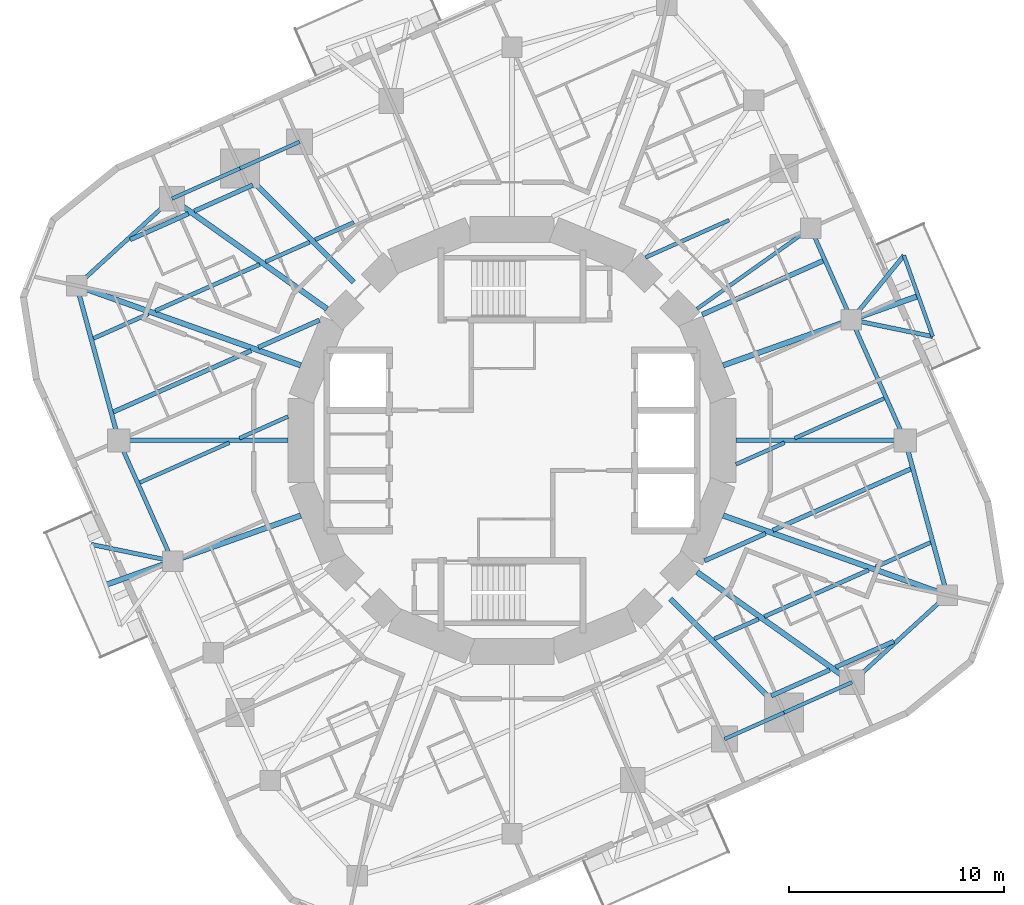
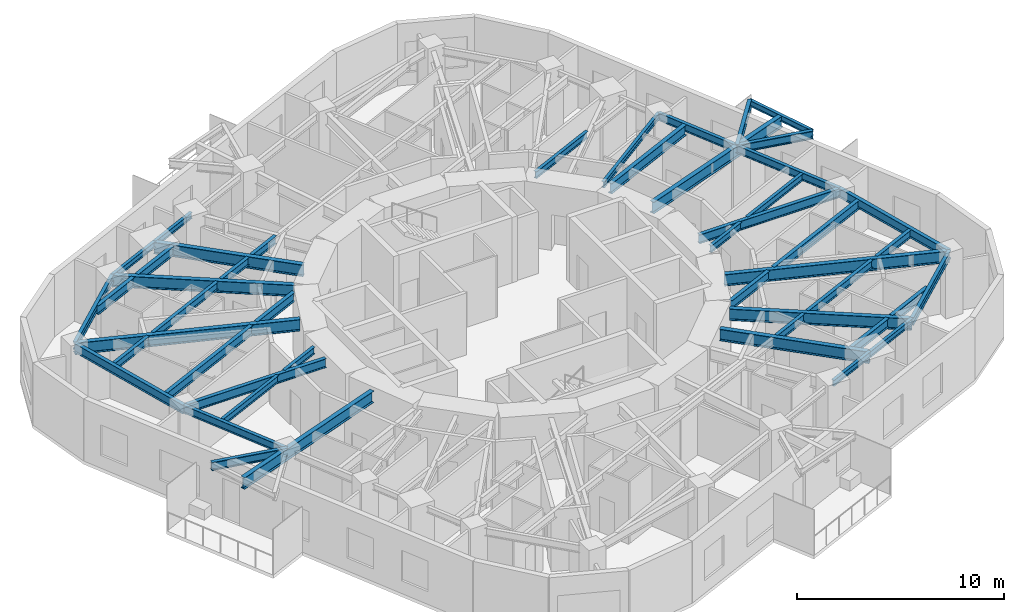
# One storey, part 2 of 12: 47 beams.
"""IFC4 building model written with IfcOpenShell, lengths in metres."""

from ifc_helpers import new_model, si_unit, direction, frame, origin, origin_2d, place, context, subcontext, project, spatial, i_section, extrude, material, material_profile, profile_set, type_object, element, save


model = new_model("IFC4")

# Units and contexts
model_context = context("Model", 3, precision=1e-05, world=origin(), true_north=direction((0.0, 1.0)))
body_context = subcontext(model_context, "Body", "Model", "MODEL_VIEW")
ifc_project = project(units=[si_unit("LENGTHUNIT", "METRE"), si_unit("AREAUNIT", "SQUARE_METRE"), si_unit("VOLUMEUNIT", "CUBIC_METRE"), si_unit("PLANEANGLEUNIT", "RADIAN"), si_unit("MASSUNIT", "GRAM", prefix="KILO")], contexts=[model_context])

# Site, building, storey
site_placement = place(None, origin())
site = spatial("IfcSite", under=ifc_project, at=site_placement, CompositionType="ELEMENT")
building_placement = place(site_placement, origin())
building = spatial("IfcBuilding", under=site, at=building_placement, Name="Nakasero Lantern House", CompositionType="ELEMENT")
storey_placement = place(building_placement, frame((0.0, 0.0, 186.300048828125)))
storey = spatial("IfcBuildingStorey", under=building, at=storey_placement, Name="L45", CompositionType="ELEMENT", Elevation=186.300048828125)

# Beams
ifc_material_1 = material(Name="Steel S355", Category="steel")
ifc_material_profile_1 = material_profile(ifc_material_1, i_section(OverallWidth=0.199462890625, OverallDepth=0.491943359375, WebThickness=0.01806640625, FlangeThickness=0.031982421875, FilletRadius=0.01025390625, at=origin_2d()), Name="UB 457x191x161")
ifc_profile_set_1 = profile_set([ifc_material_profile_1], Name="Steel S355")
beam_type_1 = type_object("IfcBeamType", Name="Balcony splay beam UB 457x191x161", PredefinedType="BEAM", material=ifc_profile_set_1)
beam_1_placement = place(storey_placement, frame((15.781982421875, 5.611328125, 3.404052734375), z_axis=(0.632165712937, 0.774833215206, 0.0), x_axis=(-0.774833215206, 0.632165712937, 0.0)))
element("IfcBeam", 1, at=beam_1_placement, inside=storey, type_object=beam_type_1, Name="Balcony splay beam L46 B5-C04A", PredefinedType="BEAM", context=body_context, shape_type="SweptSolid", body=[
    extrude(i_section(OverallWidth=0.199462890625, OverallDepth=0.491943359375, WebThickness=0.01806640625, FlangeThickness=0.031982421875, FilletRadius=0.01025390625, at=origin_2d()), origin(), (0.0, 0.0, 1.0), 3.85888671875),
])
for number, where, z_axis, x_axis, name in (
    (2, (15.781982421875, 5.611328125, 3.404052734375), (0.979420272605, -0.201831438605, 0.0), (0.201831438605, 0.979420272605, 0.0), "Balcony splay beam L46 B5-C04B"),
    (3, (-15.781982421875, -5.611328125, 3.404052734375), (-0.979420272605, 0.201831438605, 0.0), (-0.201831438605, -0.979420272605, 0.0), "Balcony splay beam L46 B5-C16B"),
):
    element("IfcBeam", number, at=place(storey_placement, frame(where, z_axis=z_axis, x_axis=x_axis)), inside=storey, type_object=beam_type_1, Name=name, PredefinedType="BEAM", context=body_context, shape_type="SweptSolid", body=[
        extrude(i_section(OverallWidth=0.199462890625, OverallDepth=0.491943359375, WebThickness=0.01806640625, FlangeThickness=0.031982421875, FilletRadius=0.01025390625, at=origin_2d()), origin(), (0.0, 0.0, 1.0), 3.858642578125),
    ])
ifc_material_2 = material(Name="Steel S355", Category="steel")
ifc_material_profile_2 = material_profile(ifc_material_2, i_section(OverallWidth=0.17138671875, OverallDepth=0.35498046875, WebThickness=0.00732421875, FlangeThickness=0.011474609375, FilletRadius=0.01025390625, at=origin_2d()), Name="UB 356x171x51")
ifc_profile_set_2 = profile_set([ifc_material_profile_2], Name="Steel S355")
beam_type_2 = type_object("IfcBeamType", Name="Balcony tie beam UB 356x171x51", PredefinedType="BEAM", material=ifc_profile_set_2)
beam_2_placement = place(storey_placement, frame((18.221435546875, 8.601318359375, 3.472412109375), z_axis=(0.334971134582, -0.94222839004, 0.0), x_axis=(0.94222839004, 0.334971134582, 0.0)))
element("IfcBeam", 4, at=beam_2_placement, inside=storey, type_object=beam_type_2, Name="Balcony tie beam L46 B5-C04", PredefinedType="BEAM", context=body_context, shape_type="SweptSolid", body=[
    extrude(i_section(OverallWidth=0.17138671875, OverallDepth=0.35498046875, WebThickness=0.00732421875, FlangeThickness=0.011474609375, FilletRadius=0.01025390625, at=origin_2d()), origin(), (0.0, 0.0, 1.0), 4.0),
])
ifc_material_3 = material(Name="Steel S355", Category="steel")
ifc_material_profile_3 = material_profile(ifc_material_3, i_section(OverallWidth=0.177978515625, OverallDepth=0.406494140625, WebThickness=0.0078125, FlangeThickness=0.0126953125, FilletRadius=0.01025390625, at=origin_2d()), Name="UB 406x178x60")
ifc_profile_set_3 = profile_set([ifc_material_profile_3], Name="Steel S355")
beam_type_3 = type_object("IfcBeamType", Name="Infill beam UB 406x178x60", PredefinedType="JOIST", material=ifc_profile_set_3)
beam_3_placement = place(storey_placement, frame((10.407958984375, -1.113037109375, 3.44677734375), z_axis=(0.913531019811, 0.406769069427, 0.0), x_axis=(-0.406769069427, 0.913531019811, 0.0)))
element("IfcBeam", 5, at=beam_3_placement, inside=storey, type_object=beam_type_3, Name="Infill beam L46 06.3", PredefinedType="JOIST", context=body_context, shape_type="SweptSolid", body=[
    extrude(i_section(OverallWidth=0.177978515625, OverallDepth=0.406494140625, WebThickness=0.0078125, FlangeThickness=0.0126953125, FilletRadius=0.01025390625, at=origin_2d()), origin(), (0.0, 0.0, 1.0), 2.478271484375),
])
for number, where, z_axis, x_axis, name in (
    (6, (13.1435546875, 0.10498046875, 3.44677734375), (0.913537236337, 0.406755107929, 0.0), (-0.406755107929, 0.913537236337, 0.0), "Infill beam L46 06.4"),
    (7, (-17.30419921875, -1.95751953125, 3.44677734375), (0.913537236337, 0.406755107929, 0.0), (-0.406755107929, 0.913537236337, 0.0), "Infill beam L46 09.1"),
):
    element("IfcBeam", number, at=place(storey_placement, frame(where, z_axis=z_axis, x_axis=x_axis)), inside=storey, type_object=beam_type_3, Name=name, PredefinedType="JOIST", context=body_context, shape_type="SweptSolid", body=[
        extrude(i_section(OverallWidth=0.177978515625, OverallDepth=0.406494140625, WebThickness=0.0078125, FlangeThickness=0.0126953125, FilletRadius=0.01025390625, at=origin_2d()), origin(), (0.0, 0.0, 1.0), 4.554443359375),
    ])
beam_4_placement = place(storey_placement, frame((-12.671875, 0.10498046875, 3.44677734375), z_axis=(0.913531019811, 0.406769069427, 0.0), x_axis=(-0.406769069427, 0.913531019811, 0.0)))
element("IfcBeam", 8, at=beam_4_placement, inside=storey, type_object=beam_type_3, Name="Infill beam L46 09.2", PredefinedType="JOIST", context=body_context, shape_type="SweptSolid", body=[
    extrude(i_section(OverallWidth=0.177978515625, OverallDepth=0.406494140625, WebThickness=0.0078125, FlangeThickness=0.0126953125, FilletRadius=0.01025390625, at=origin_2d()), origin(), (0.0, 0.0, 1.0), 2.478271484375),
])
beam_5_placement = place(storey_placement, frame((6.2080078125, 8.5107421875, 3.44677734375), z_axis=(0.91354134882, 0.406745871517, 0.0), x_axis=(-0.406745871517, 0.91354134882, 0.0)))
element("IfcBeam", 9, at=beam_5_placement, inside=storey, type_object=beam_type_3, Name="Infill beam L46 09.3", PredefinedType="JOIST", context=body_context, shape_type="SweptSolid", body=[
    extrude(i_section(OverallWidth=0.177978515625, OverallDepth=0.406494140625, WebThickness=0.0078125, FlangeThickness=0.0126953125, FilletRadius=0.01025390625, at=origin_2d()), origin(), (0.0, 0.0, 1.0), 4.250732421875),
])
ifc_material_4 = material(Name="Steel S355", Category="steel")
ifc_material_profile_4 = material_profile(ifc_material_4, i_section(OverallWidth=0.18994140625, OverallDepth=0.453369140625, WebThickness=0.008544921875, FlangeThickness=0.0126953125, FilletRadius=0.01025390625, at=origin_2d()), Name="UB 457x191x67")
ifc_profile_set_4 = profile_set([ifc_material_profile_4], Name="Steel S355")
beam_type_4 = type_object("IfcBeamType", Name="Infill beam UB 457x191x67", PredefinedType="JOIST", material=ifc_profile_set_4)
beam_6_placement = place(storey_placement, frame((9.403564453125, -9.22265625, 3.42333984375), z_axis=(0.913516376313, 0.406801954529, 0.0), x_axis=(-0.406801954529, 0.913516376313, 0.0)))
element("IfcBeam", 10, at=beam_6_placement, inside=storey, type_object=beam_type_4, Name="Infill beam L46 04.6", PredefinedType="JOIST", context=body_context, shape_type="SweptSolid", body=[
    extrude(i_section(OverallWidth=0.18994140625, OverallDepth=0.453369140625, WebThickness=0.008544921875, FlangeThickness=0.0126953125, FilletRadius=0.01025390625, at=origin_2d()), origin(), (0.0, 0.0, 1.0), 2.2529296875),
])
beam_7_placement = place(storey_placement, frame((11.73095703125, -8.186279296875, 3.42333984375), z_axis=(0.913558956665, 0.406706322421, 0.0), x_axis=(-0.406706322421, 0.913558956665, 0.0)))
element("IfcBeam", 11, at=beam_7_placement, inside=storey, type_object=beam_type_4, Name="Infill beam L46 04.7", PredefinedType="JOIST", context=body_context, shape_type="SweptSolid", body=[
    extrude(i_section(OverallWidth=0.18994140625, OverallDepth=0.453369140625, WebThickness=0.008544921875, FlangeThickness=0.0126953125, FilletRadius=0.01025390625, at=origin_2d()), origin(), (0.0, 0.0, 1.0), 5.3046875),
])
beam_8_placement = place(storey_placement, frame((16.913330078125, -5.87890625, 3.42333984375), z_axis=(0.913544199752, 0.406739468332, 0.0), x_axis=(-0.406739468332, 0.913544199752, 0.0)))
element("IfcBeam", 12, at=beam_8_placement, inside=storey, type_object=beam_type_4, Name="Infill beam L46 04.8", PredefinedType="JOIST", context=body_context, shape_type="SweptSolid", body=[
    extrude(i_section(OverallWidth=0.18994140625, OverallDepth=0.453369140625, WebThickness=0.008544921875, FlangeThickness=0.0126953125, FilletRadius=0.01025390625, at=origin_2d()), origin(), (0.0, 0.0, 1.0), 2.788818359375),
])
beam_9_placement = place(storey_placement, frame((-19.46142578125, 4.744384765625, 3.42333984375), z_axis=(0.913540637242, 0.4067474697, 0.0), x_axis=(-0.4067474697, 0.913540637242, 0.0)))
element("IfcBeam", 13, at=beam_9_placement, inside=storey, type_object=beam_type_4, Name="Infill beam L46 11.1", PredefinedType="JOIST", context=body_context, shape_type="SweptSolid", body=[
    extrude(i_section(OverallWidth=0.18994140625, OverallDepth=0.453369140625, WebThickness=0.008544921875, FlangeThickness=0.0126953125, FilletRadius=0.01025390625, at=origin_2d()), origin(), (0.0, 0.0, 1.0), 2.789306640625),
])
beam_10_placement = place(storey_placement, frame((-16.5771484375, 6.02880859375, 3.42333984375), z_axis=(0.913558956665, 0.406706322421, 0.0), x_axis=(-0.406706322421, 0.913558956665, 0.0)))
element("IfcBeam", 14, at=beam_10_placement, inside=storey, type_object=beam_type_4, Name="Infill beam L46 11.2", PredefinedType="JOIST", context=body_context, shape_type="SweptSolid", body=[
    extrude(i_section(OverallWidth=0.18994140625, OverallDepth=0.453369140625, WebThickness=0.008544921875, FlangeThickness=0.0126953125, FilletRadius=0.01025390625, at=origin_2d()), origin(), (0.0, 0.0, 1.0), 5.3046875),
])
beam_11_placement = place(storey_placement, frame((-11.461669921875, 8.30615234375, 3.42333984375), z_axis=(0.913516376313, 0.406801954529, 0.0), x_axis=(-0.406801954529, 0.913516376313, 0.0)))
element("IfcBeam", 15, at=beam_11_placement, inside=storey, type_object=beam_type_4, Name="Infill beam L46 11.3", PredefinedType="JOIST", context=body_context, shape_type="SweptSolid", body=[
    extrude(i_section(OverallWidth=0.18994140625, OverallDepth=0.453369140625, WebThickness=0.008544921875, FlangeThickness=0.0126953125, FilletRadius=0.01025390625, at=origin_2d()), origin(), (0.0, 0.0, 1.0), 2.2529296875),
])
beam_12_placement = place(storey_placement, frame((-9.153076171875, 9.333984375, 3.42333984375), z_axis=(0.913536028639, 0.406757820304, 0.0), x_axis=(-0.406757820304, 0.913536028639, 0.0)))
element("IfcBeam", 16, at=beam_12_placement, inside=storey, type_object=beam_type_4, Name="Infill beam L46 11.4", PredefinedType="JOIST", context=body_context, shape_type="SweptSolid", body=[
    extrude(i_section(OverallWidth=0.18994140625, OverallDepth=0.453369140625, WebThickness=0.008544921875, FlangeThickness=0.0126953125, FilletRadius=0.01025390625, at=origin_2d()), origin(), (0.0, 0.0, 1.0), 1.974609375),
])
ifc_material_5 = material(Name="Steel S355", Category="steel")
ifc_material_profile_5 = material_profile(ifc_material_5, i_section(OverallWidth=0.2099609375, OverallDepth=0.53662109375, WebThickness=0.0107421875, FlangeThickness=0.017333984375, FilletRadius=0.0126953125, at=origin_2d()), Name="UB 533x210x101")
ifc_profile_set_5 = profile_set([ifc_material_profile_5], Name="Steel S355")
beam_type_5 = type_object("IfcBeamType", Name="Infill beam UB 533x210x101", PredefinedType="JOIST", material=ifc_profile_set_5)
beam_13_placement = place(storey_placement, frame((12.054443359375, -11.87353515625, 3.381591796875), z_axis=(0.913551039628, 0.406724105501, 0.0), x_axis=(-0.406724105501, 0.913551039628, 0.0)))
element("IfcBeam", 17, at=beam_13_placement, inside=storey, type_object=beam_type_5, Name="Infill beam L46 03.2", PredefinedType="JOIST", context=body_context, shape_type="SweptSolid", body=[
    extrude(i_section(OverallWidth=0.2099609375, OverallDepth=0.53662109375, WebThickness=0.0107421875, FlangeThickness=0.017333984375, FilletRadius=0.0126953125, at=origin_2d()), origin(), (0.0, 0.0, 1.0), 2.977783203125),
])
for number, where, z_axis, x_axis, name in (
    (18, (15.044189453125, -10.54248046875, 3.381591796875), (0.91353278913, 0.406765095827, 0.0), (-0.406765095827, 0.91353278913, 0.0), "Infill beam L46 03.3"),
    (19, (-17.751708984375, 9.3369140625, 3.381591796875), (0.91353278913, 0.406765095827, 0.0), (-0.406765095827, 0.91353278913, 0.0), "Infill beam L46 12.1"),
):
    element("IfcBeam", number, at=place(storey_placement, frame(where, z_axis=z_axis, x_axis=x_axis)), inside=storey, type_object=beam_type_5, Name=name, PredefinedType="JOIST", context=body_context, shape_type="SweptSolid", body=[
        extrude(i_section(OverallWidth=0.2099609375, OverallDepth=0.53662109375, WebThickness=0.0107421875, FlangeThickness=0.017333984375, FilletRadius=0.0126953125, at=origin_2d()), origin(), (0.0, 0.0, 1.0), 2.9638671875),
    ])
beam_14_placement = place(storey_placement, frame((-14.77490234375, 10.662353515625, 3.381591796875), z_axis=(0.913551039628, 0.406724105501, 0.0), x_axis=(-0.406724105501, 0.913551039628, 0.0)))
element("IfcBeam", 20, at=beam_14_placement, inside=storey, type_object=beam_type_5, Name="Infill beam L46 12.2", PredefinedType="JOIST", context=body_context, shape_type="SweptSolid", body=[
    extrude(i_section(OverallWidth=0.2099609375, OverallDepth=0.53662109375, WebThickness=0.0107421875, FlangeThickness=0.017333984375, FilletRadius=0.0126953125, at=origin_2d()), origin(), (0.0, 0.0, 1.0), 2.977783203125),
])
ifc_material_6 = material(Name="Steel S355", Category="steel")
ifc_material_profile_6 = material_profile(ifc_material_6, i_section(OverallWidth=0.208740234375, OverallDepth=0.5283203125, WebThickness=0.009521484375, FlangeThickness=0.01318359375, FilletRadius=0.0126953125, at=origin_2d()), Name="UB 533x210x82")
ifc_profile_set_6 = profile_set([ifc_material_profile_6], Name="Steel S355")
beam_type_6 = type_object("IfcBeamType", Name="Infill beam UB 533x210x82", PredefinedType="JOIST", material=ifc_profile_set_6)
beam_15_placement = place(storey_placement, frame((8.9482421875, -5.593994140625, 3.3857421875), z_axis=(0.913555928833, 0.406713123582, 0.0), x_axis=(-0.406713123582, 0.913555928833, 0.0)))
element("IfcBeam", 21, at=beam_15_placement, inside=storey, type_object=beam_type_6, Name="Infill beam L46 05.4", PredefinedType="JOIST", context=body_context, shape_type="SweptSolid", body=[
    extrude(i_section(OverallWidth=0.208740234375, OverallDepth=0.5283203125, WebThickness=0.009521484375, FlangeThickness=0.01318359375, FilletRadius=0.0126953125, at=origin_2d()), origin(), (0.0, 0.0, 1.0), 3.113525390625),
])
beam_16_placement = place(storey_placement, frame((12.12890625, -4.177978515625, 3.3857421875), z_axis=(0.913538442343, 0.406752399332, 0.0), x_axis=(-0.406752399332, 0.913538442343, 0.0)))
element("IfcBeam", 22, at=beam_16_placement, inside=storey, type_object=beam_type_6, Name="Infill beam L46 05.5", PredefinedType="JOIST", context=body_context, shape_type="SweptSolid", body=[
    extrude(i_section(OverallWidth=0.208740234375, OverallDepth=0.5283203125, WebThickness=0.009521484375, FlangeThickness=0.01318359375, FilletRadius=0.0126953125, at=origin_2d()), origin(), (0.0, 0.0, 1.0), 7.00927734375),
])
beam_17_placement = place(storey_placement, frame((-18.53271484375, 1.32666015625, 3.3857421875), z_axis=(0.913537025225, 0.406755582067, 0.0), x_axis=(-0.406755582067, 0.913537025225, 0.0)))
element("IfcBeam", 23, at=beam_17_placement, inside=storey, type_object=beam_type_6, Name="Infill beam L46 10.1", PredefinedType="JOIST", context=body_context, shape_type="SweptSolid", body=[
    extrude(i_section(OverallWidth=0.208740234375, OverallDepth=0.5283203125, WebThickness=0.009521484375, FlangeThickness=0.01318359375, FilletRadius=0.0126953125, at=origin_2d()), origin(), (0.0, 0.0, 1.0), 7.010009765625),
])
beam_18_placement = place(storey_placement, frame((-11.792724609375, 4.32763671875, 3.3857421875), z_axis=(0.913555928833, 0.406713123582, 0.0), x_axis=(-0.406713123582, 0.913555928833, 0.0)))
element("IfcBeam", 24, at=beam_18_placement, inside=storey, type_object=beam_type_6, Name="Infill beam L46 10.2", PredefinedType="JOIST", context=body_context, shape_type="SweptSolid", body=[
    extrude(i_section(OverallWidth=0.208740234375, OverallDepth=0.5283203125, WebThickness=0.009521484375, FlangeThickness=0.01318359375, FilletRadius=0.0126953125, at=origin_2d()), origin(), (0.0, 0.0, 1.0), 3.113525390625),
])
ifc_material_7 = material(Name="Steel S355", Category="steel")
ifc_material_profile_7 = material_profile(ifc_material_7, i_section(OverallWidth=0.22900390625, OverallDepth=0.6123046875, WebThickness=0.011962890625, FlangeThickness=0.01953125, FilletRadius=0.0126953125, at=origin_2d()), Name="UB 610x229x125")
ifc_profile_set_7 = profile_set([ifc_material_profile_7], Name="Steel S355")
beam_type_7 = type_object("IfcBeamType", Name="Infill beam UB 610x229x125", PredefinedType="JOIST", material=ifc_profile_set_7)
beam_19_placement = place(storey_placement, frame((8.84130859375, 5.85205078125, 3.34375), z_axis=(0.913552627294, 0.406720539393, 0.0), x_axis=(-0.406720539393, 0.913552627294, 0.0)))
element("IfcBeam", 25, at=beam_19_placement, inside=storey, type_object=beam_type_7, Name="Infill beam L46 08.1", PredefinedType="JOIST", context=body_context, shape_type="SweptSolid", body=[
    extrude(i_section(OverallWidth=0.22900390625, OverallDepth=0.6123046875, WebThickness=0.011962890625, FlangeThickness=0.01953125, FilletRadius=0.0126953125, at=origin_2d()), origin(), (0.0, 0.0, 1.0), 6.14794921875),
])
ifc_material_8 = material(Name="Steel S355", Category="steel")
ifc_material_profile_8 = material_profile(ifc_material_8, i_section(OverallWidth=0.17138671875, OverallDepth=0.35498046875, WebThickness=0.00732421875, FlangeThickness=0.011474609375, FilletRadius=0.01025390625, at=origin_2d()), Name="UB 356x171x51")
ifc_profile_set_8 = profile_set([ifc_material_profile_8], Name="Steel S355")
beam_type_8 = type_object("IfcBeamType", Name="Primary beam UB 356x171x51, span 6 to 9 m", PredefinedType="BEAM", material=ifc_profile_set_8)
beam_20_placement = place(storey_placement, frame((13.884521484375, 9.87353515625, 3.472412109375), z_axis=(-0.8149430702, -0.57954101868, 0.0), x_axis=(0.57954101868, -0.8149430702, 0.0)))
element("IfcBeam", 26, at=beam_20_placement, inside=storey, type_object=beam_type_8, Name="Primary beam L46 B5-C05", PredefinedType="BEAM", context=body_context, shape_type="SweptSolid", body=[
    extrude(i_section(OverallWidth=0.17138671875, OverallDepth=0.35498046875, WebThickness=0.00732421875, FlangeThickness=0.011474609375, FilletRadius=0.01025390625, at=origin_2d()), origin(), (0.0, 0.0, 1.0), 6.48193359375),
])
ifc_material_9 = material(Name="Steel S355", Category="steel")
ifc_material_profile_9 = material_profile(ifc_material_9, i_section(OverallWidth=0.2099609375, OverallDepth=0.53662109375, WebThickness=0.0107421875, FlangeThickness=0.017333984375, FilletRadius=0.0126953125, at=origin_2d()), Name="UB 533x210x101")
ifc_profile_set_9 = profile_set([ifc_material_profile_9], Name="Steel S355")
beam_type_9 = type_object("IfcBeamType", Name="Primary beam UB 533x210x101, span 6 to 9 m", PredefinedType="BEAM", material=ifc_profile_set_9)
for number, where, z_axis, x_axis, name in (
    (27, (18.280517578125, 0.0, 3.381591796875), (-1.0, 0.0, 0.0), (0.0, -1.0, 0.0), "Primary beam L46 B5-C03"),
    (28, (-18.280517578125, 0.0, 3.381591796875), (1.0, 0.0, 0.0), (0.0, 1.0, 0.0), "Primary beam L46 B5-C15"),
):
    element("IfcBeam", number, at=place(storey_placement, frame(where, z_axis=z_axis, x_axis=x_axis)), inside=storey, type_object=beam_type_9, Name=name, PredefinedType="BEAM", context=body_context, shape_type="SweptSolid", body=[
        extrude(i_section(OverallWidth=0.2099609375, OverallDepth=0.53662109375, WebThickness=0.0107421875, FlangeThickness=0.017333984375, FilletRadius=0.0126953125, at=origin_2d()), origin(), (0.0, 0.0, 1.0), 7.87255859375),
    ])
ifc_material_10 = material(Name="Steel S355", Category="steel")
ifc_material_profile_10 = material_profile(ifc_material_10, i_section(OverallWidth=0.253662109375, OverallDepth=0.68359375, WebThickness=0.012451171875, FlangeThickness=0.01904296875, FilletRadius=0.01513671875, at=origin_2d()), Name="UB 686x254x140")
ifc_profile_set_10 = profile_set([ifc_material_profile_10], Name="Steel S355")
beam_type_10 = type_object("IfcBeamType", Name="Primary beam UB 686x254x140, span 6 to 9 m", PredefinedType="BEAM", material=ifc_profile_set_10)
beam_21_placement = place(storey_placement, frame((15.808837890625, -11.241943359375, 3.30810546875), z_axis=(-0.814946052543, 0.579536824926, 0.0), x_axis=(-0.579536824926, -0.814946052543, 0.0)))
element("IfcBeam", 29, at=beam_21_placement, inside=storey, type_object=beam_type_10, Name="Primary beam L46 B5-C01", PredefinedType="BEAM", context=body_context, shape_type="SweptSolid", body=[
    extrude(i_section(OverallWidth=0.253662109375, OverallDepth=0.68359375, WebThickness=0.012451171875, FlangeThickness=0.01904296875, FilletRadius=0.01513671875, at=origin_2d()), origin(), (0.0, 0.0, 1.0), 8.84326171875),
])
beam_22_placement = place(storey_placement, frame((18.891357421875, 6.717041015625, 3.30810546875), z_axis=(-0.942207397814, -0.335030177005, 0.0), x_axis=(0.335030177005, -0.942207397814, 0.0)))
element("IfcBeam", 30, at=beam_22_placement, inside=storey, type_object=beam_type_10, Name="Primary beam L46 B5-C04", PredefinedType="BEAM", context=body_context, shape_type="SweptSolid", body=[
    extrude(i_section(OverallWidth=0.253662109375, OverallDepth=0.68359375, WebThickness=0.012451171875, FlangeThickness=0.01904296875, FilletRadius=0.01513671875, at=origin_2d()), origin(), (0.0, 0.0, 1.0), 9.62841796875),
])
beam_23_placement = place(storey_placement, frame((-15.808837890625, 11.241943359375, 3.30810546875), z_axis=(0.814946052543, -0.579536824926, 0.0), x_axis=(0.579536824926, 0.814946052543, 0.0)))
element("IfcBeam", 31, at=beam_23_placement, inside=storey, type_object=beam_type_10, Name="Primary beam L46 B5-C13", PredefinedType="BEAM", context=body_context, shape_type="SweptSolid", body=[
    extrude(i_section(OverallWidth=0.253662109375, OverallDepth=0.68359375, WebThickness=0.012451171875, FlangeThickness=0.01904296875, FilletRadius=0.01513671875, at=origin_2d()), origin(), (0.0, 0.0, 1.0), 8.84326171875),
])
beam_24_placement = place(storey_placement, frame((-18.891357421875, -6.717041015625, 3.30810546875), z_axis=(0.942207397814, 0.335030177005, 0.0), x_axis=(-0.335030177005, 0.942207397814, 0.0)))
element("IfcBeam", 32, at=beam_24_placement, inside=storey, type_object=beam_type_10, Name="Primary beam L46 B5-C16", PredefinedType="BEAM", context=body_context, shape_type="SweptSolid", body=[
    extrude(i_section(OverallWidth=0.253662109375, OverallDepth=0.68359375, WebThickness=0.012451171875, FlangeThickness=0.01904296875, FilletRadius=0.01513671875, at=origin_2d()), origin(), (0.0, 0.0, 1.0), 9.62841796875),
])
ifc_material_11 = material(Name="Steel S355", Category="steel")
ifc_material_profile_11 = material_profile(ifc_material_11, i_section(OverallWidth=0.253662109375, OverallDepth=0.68359375, WebThickness=0.012451171875, FlangeThickness=0.01904296875, FilletRadius=0.01513671875, at=origin_2d()), Name="UB 686x254x140")
ifc_profile_set_11 = profile_set([ifc_material_profile_11], Name="Steel S355")
beam_type_11 = type_object("IfcBeamType", Name="Primary beam UB 686x254x140, span 9 to 12 m", PredefinedType="BEAM", material=ifc_profile_set_11)
for number, where, z_axis, x_axis, name in (
    (33, (20.2353515625, -7.19482421875, 3.30810546875), (-0.942210662535, 0.335020995468, 0.0), (-0.335020995468, -0.942210662535, 0.0), "Primary beam L46 B5-C02"),
    (34, (-20.2353515625, 7.19482421875, 3.30810546875), (0.942210662535, -0.335020995468, 0.0), (0.335020995468, 0.942210662535, 0.0), "Primary beam L46 B5-C14"),
):
    element("IfcBeam", number, at=place(storey_placement, frame(where, z_axis=z_axis, x_axis=x_axis)), inside=storey, type_object=beam_type_11, Name=name, PredefinedType="BEAM", context=body_context, shape_type="SweptSolid", body=[
        extrude(i_section(OverallWidth=0.253662109375, OverallDepth=0.68359375, WebThickness=0.012451171875, FlangeThickness=0.01904296875, FilletRadius=0.01513671875, at=origin_2d()), origin(), (0.0, 0.0, 1.0), 11.054931640625),
    ])
ifc_material_12 = material(Name="Steel S355", Category="steel")
ifc_material_profile_12 = material_profile(ifc_material_12, i_section(OverallWidth=0.255859375, OverallDepth=0.69287109375, WebThickness=0.014404296875, FlangeThickness=0.023681640625, FilletRadius=0.01513671875, at=origin_2d()), Name="UB 686x254x170")
ifc_profile_set_12 = profile_set([ifc_material_profile_12], Name="Steel S355")
beam_type_12 = type_object("IfcBeamType", Name="Primary beam UB 686x254x170, span 6 to 9 m", PredefinedType="BEAM", material=ifc_profile_set_12)
for number, where, z_axis, x_axis, name in (
    (35, (-12.64892578125, 12.64892578125, 3.303466796875), (0.707106781187, -0.707106781187, 0.0), (0.707106781187, 0.707106781187, 0.0), "Primary beam L46 B5-C12"),
    (36, (12.64892578125, -12.64892578125, 3.303466796875), (-0.707106781187, 0.707106781187, 0.0), (-0.707106781187, -0.707106781187, 0.0), "Primary beam L46 B5-C24"),
):
    element("IfcBeam", number, at=place(storey_placement, frame(where, z_axis=z_axis, x_axis=x_axis)), inside=storey, type_object=beam_type_12, Name=name, PredefinedType="BEAM", context=body_context, shape_type="SweptSolid", body=[
        extrude(i_section(OverallWidth=0.255859375, OverallDepth=0.69287109375, WebThickness=0.014404296875, FlangeThickness=0.023681640625, FilletRadius=0.01513671875, at=origin_2d()), origin(), (0.0, 0.0, 1.0), 7.48046875),
    ])
ifc_material_13 = material(Name="Steel S355", Category="steel")
ifc_material_profile_13 = material_profile(ifc_material_13, i_section(OverallWidth=0.17138671875, OverallDepth=0.35498046875, WebThickness=0.00732421875, FlangeThickness=0.011474609375, FilletRadius=0.01025390625, at=origin_2d()), Name="UB 356x171x51")
ifc_profile_set_13 = profile_set([ifc_material_profile_13], Name="Steel S355")
beam_type_13 = type_object("IfcBeamType", Name="Ring beam UB 356x171x51", PredefinedType="BEAM", material=ifc_profile_set_13)
beam_25_placement = place(storey_placement, frame((-9.87353515625, 13.884521484375, 3.472412109375), z_axis=(-0.913556197925, -0.40671251915, 0.0), x_axis=(0.40671251915, -0.913556197925, 0.0)))
element("IfcBeam", 37, at=beam_25_placement, inside=storey, type_object=beam_type_13, Name="Ring beam L46 B5-C11", PredefinedType="BEAM", context=body_context, shape_type="SweptSolid", body=[
    extrude(i_section(OverallWidth=0.17138671875, OverallDepth=0.35498046875, WebThickness=0.00732421875, FlangeThickness=0.011474609375, FilletRadius=0.01025390625, at=origin_2d()), origin(), (0.0, 0.0, 1.0), 3.0380859375),
])
beam_26_placement = place(storey_placement, frame((-12.64892578125, 12.64892578125, 3.472412109375), z_axis=(-0.913534832457, -0.406760506795, 0.0), x_axis=(0.406760506795, -0.913534832457, 0.0)))
element("IfcBeam", 38, at=beam_26_placement, inside=storey, type_object=beam_type_13, Name="Ring beam L46 B5-C12", PredefinedType="BEAM", context=body_context, shape_type="SweptSolid", body=[
    extrude(i_section(OverallWidth=0.17138671875, OverallDepth=0.35498046875, WebThickness=0.00732421875, FlangeThickness=0.011474609375, FilletRadius=0.01025390625, at=origin_2d()), origin(), (0.0, 0.0, 1.0), 3.458984375),
])
beam_27_placement = place(storey_placement, frame((9.87353515625, -13.884521484375, 3.472412109375), z_axis=(0.913556197925, 0.40671251915, 0.0), x_axis=(-0.40671251915, 0.913556197925, 0.0)))
element("IfcBeam", 39, at=beam_27_placement, inside=storey, type_object=beam_type_13, Name="Ring beam L46 B5-C23", PredefinedType="BEAM", context=body_context, shape_type="SweptSolid", body=[
    extrude(i_section(OverallWidth=0.17138671875, OverallDepth=0.35498046875, WebThickness=0.00732421875, FlangeThickness=0.011474609375, FilletRadius=0.01025390625, at=origin_2d()), origin(), (0.0, 0.0, 1.0), 3.0380859375),
])
beam_28_placement = place(storey_placement, frame((12.64892578125, -12.64892578125, 3.472412109375), z_axis=(0.913534832457, 0.406760506795, 0.0), x_axis=(-0.406760506795, 0.913534832457, 0.0)))
element("IfcBeam", 40, at=beam_28_placement, inside=storey, type_object=beam_type_13, Name="Ring beam L46 B5-C24", PredefinedType="BEAM", context=body_context, shape_type="SweptSolid", body=[
    extrude(i_section(OverallWidth=0.17138671875, OverallDepth=0.35498046875, WebThickness=0.00732421875, FlangeThickness=0.011474609375, FilletRadius=0.01025390625, at=origin_2d()), origin(), (0.0, 0.0, 1.0), 3.458984375),
])
ifc_material_14 = material(Name="Steel S355", Category="steel")
ifc_material_profile_14 = material_profile(ifc_material_14, i_section(OverallWidth=0.18994140625, OverallDepth=0.453369140625, WebThickness=0.008544921875, FlangeThickness=0.0126953125, FilletRadius=0.01025390625, at=origin_2d()), Name="UB 457x191x67")
ifc_profile_set_14 = profile_set([ifc_material_profile_14], Name="Steel S355")
beam_type_14 = type_object("IfcBeamType", Name="Ring beam UB 457x191x67", PredefinedType="BEAM", material=ifc_profile_set_14)
beam_29_placement = place(storey_placement, frame((15.808837890625, -11.241943359375, 3.42333984375), z_axis=(0.73802707447, 0.674771099966, 0.0), x_axis=(-0.674771099966, 0.73802707447, 0.0)))
element("IfcBeam", 41, at=beam_29_placement, inside=storey, type_object=beam_type_14, Name="Ring beam L46 B5-C01", PredefinedType="BEAM", context=body_context, shape_type="SweptSolid", body=[
    extrude(i_section(OverallWidth=0.18994140625, OverallDepth=0.453369140625, WebThickness=0.008544921875, FlangeThickness=0.0126953125, FilletRadius=0.01025390625, at=origin_2d()), origin(), (0.0, 0.0, 1.0), 5.997802734375),
])
beam_30_placement = place(storey_placement, frame((15.781982421875, 5.611328125, 3.42333984375), z_axis=(-0.406701600856, 0.913561058639, 0.0), x_axis=(-0.913561058639, -0.406701600856, 0.0)))
element("IfcBeam", 42, at=beam_30_placement, inside=storey, type_object=beam_type_14, Name="Ring beam L46 B5-C04", PredefinedType="BEAM", context=body_context, shape_type="SweptSolid", body=[
    extrude(i_section(OverallWidth=0.18994140625, OverallDepth=0.453369140625, WebThickness=0.008544921875, FlangeThickness=0.0126953125, FilletRadius=0.01025390625, at=origin_2d()), origin(), (0.0, 0.0, 1.0), 4.66552734375),
])
beam_31_placement = place(storey_placement, frame((-15.808837890625, 11.241943359375, 3.42333984375), z_axis=(-0.73802707447, -0.674771099966, 0.0), x_axis=(0.674771099966, -0.73802707447, 0.0)))
element("IfcBeam", 43, at=beam_31_placement, inside=storey, type_object=beam_type_14, Name="Ring beam L46 B5-C13", PredefinedType="BEAM", context=body_context, shape_type="SweptSolid", body=[
    extrude(i_section(OverallWidth=0.18994140625, OverallDepth=0.453369140625, WebThickness=0.008544921875, FlangeThickness=0.0126953125, FilletRadius=0.01025390625, at=origin_2d()), origin(), (0.0, 0.0, 1.0), 5.997802734375),
])
ifc_material_15 = material(Name="Steel S355", Category="steel")
ifc_material_profile_15 = material_profile(ifc_material_15, i_section(OverallWidth=0.19140625, OverallDepth=0.4599609375, WebThickness=0.010009765625, FlangeThickness=0.01611328125, FilletRadius=0.01025390625, at=origin_2d()), Name="UB 457x191x82")
ifc_profile_set_15 = profile_set([ifc_material_profile_15], Name="Steel S355")
beam_type_15 = type_object("IfcBeamType", Name="Ring beam UB 457x191x82", PredefinedType="BEAM", material=ifc_profile_set_15)
for number, where, z_axis, x_axis, name in (
    (44, (18.280517578125, 0.0, 3.419921875), (-0.406765299215, 0.913532698569, 0.0), (-0.913532698569, -0.406765299215, 0.0), "Ring beam L46 B5-C03"),
    (45, (-18.280517578125, 0.0, 3.419921875), (0.406765299215, -0.913532698569, 0.0), (0.913532698569, 0.406765299215, 0.0), "Ring beam L46 B5-C15"),
):
    element("IfcBeam", number, at=place(storey_placement, frame(where, z_axis=z_axis, x_axis=x_axis)), inside=storey, type_object=beam_type_15, Name=name, PredefinedType="BEAM", context=body_context, shape_type="SweptSolid", body=[
        extrude(i_section(OverallWidth=0.19140625, OverallDepth=0.4599609375, WebThickness=0.010009765625, FlangeThickness=0.01611328125, FilletRadius=0.01025390625, at=origin_2d()), origin(), (0.0, 0.0, 1.0), 6.142333984375),
    ])
ifc_material_16 = material(Name="Steel S355", Category="steel")
ifc_material_profile_16 = material_profile(ifc_material_16, i_section(OverallWidth=0.2099609375, OverallDepth=0.53662109375, WebThickness=0.0107421875, FlangeThickness=0.017333984375, FilletRadius=0.0126953125, at=origin_2d()), Name="UB 533x210x101")
ifc_profile_set_16 = profile_set([ifc_material_profile_16], Name="Steel S355")
beam_type_16 = type_object("IfcBeamType", Name="Ring beam UB 533x210x101", PredefinedType="BEAM", material=ifc_profile_set_16)
beam_32_placement = place(storey_placement, frame((20.2353515625, -7.19482421875, 3.381591796875), z_axis=(-0.26219461312, 0.965015017941, 0.0), x_axis=(-0.965015017941, -0.26219461312, 0.0)))
element("IfcBeam", 46, at=beam_32_placement, inside=storey, type_object=beam_type_16, Name="Ring beam L46 B5-C02", PredefinedType="BEAM", context=body_context, shape_type="SweptSolid", body=[
    extrude(i_section(OverallWidth=0.2099609375, OverallDepth=0.53662109375, WebThickness=0.0107421875, FlangeThickness=0.017333984375, FilletRadius=0.0126953125, at=origin_2d()), origin(), (0.0, 0.0, 1.0), 7.45556640625),
])
ifc_material_17 = material(Name="Steel S355", Category="steel")
ifc_material_profile_17 = material_profile(ifc_material_17, i_section(OverallWidth=0.208740234375, OverallDepth=0.5283203125, WebThickness=0.009521484375, FlangeThickness=0.01318359375, FilletRadius=0.0126953125, at=origin_2d()), Name="UB 533x210x82")
ifc_profile_set_17 = profile_set([ifc_material_profile_17], Name="Steel S355")
beam_type_17 = type_object("IfcBeamType", Name="Ring beam UB 533x210x82", PredefinedType="BEAM", material=ifc_profile_set_17)
beam_33_placement = place(storey_placement, frame((-20.2353515625, 7.19482421875, 3.3857421875), z_axis=(0.26219461312, -0.965015017941, 0.0), x_axis=(0.965015017941, 0.26219461312, 0.0)))
element("IfcBeam", 47, at=beam_33_placement, inside=storey, type_object=beam_type_17, Name="Ring beam L46 B5-C14", PredefinedType="BEAM", context=body_context, shape_type="SweptSolid", body=[
    extrude(i_section(OverallWidth=0.208740234375, OverallDepth=0.5283203125, WebThickness=0.009521484375, FlangeThickness=0.01318359375, FilletRadius=0.0126953125, at=origin_2d()), origin(), (0.0, 0.0, 1.0), 7.45556640625),
])

save(model, "model.ifc")
